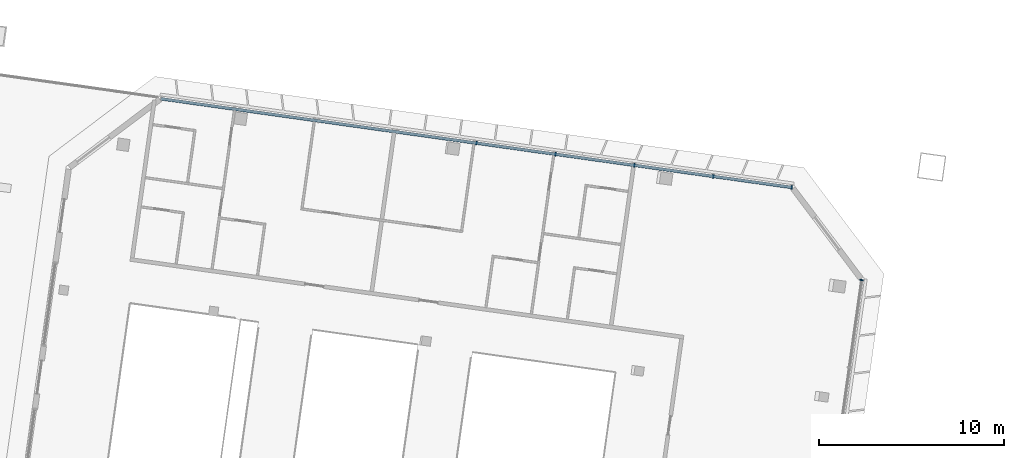
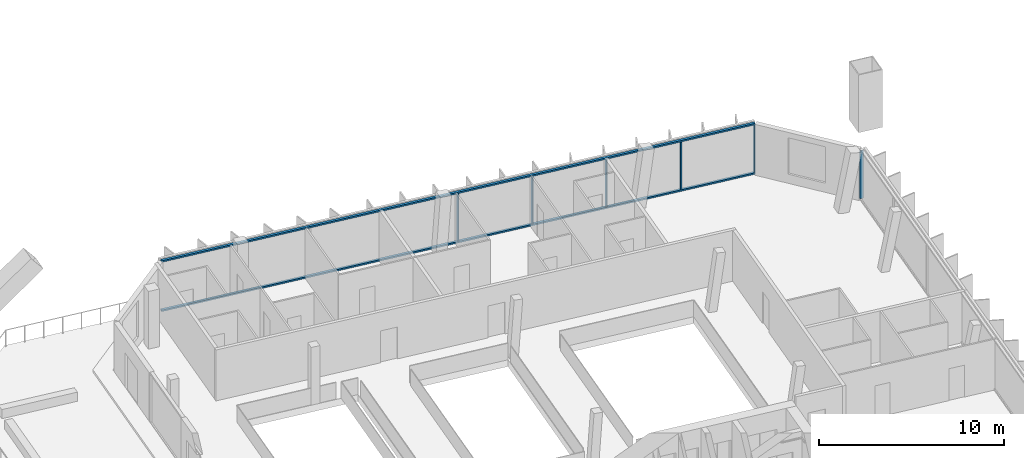
# One storey, part 5 of 19: 8 members, 2 elements without a shape of their own.
"""IFC4 building model written with IfcOpenShell, lengths in metres."""

from ifc_helpers import new_model, si_unit, direction, frame, origin, origin_2d, place, context, subcontext, project, spatial, rectangle, extrude, material, material_profile, profile_set, type_object, element, aggregate, save


model = new_model("IFC4")

# Units and contexts
model_context = context("Model", 3, precision=1e-05, world=origin(), true_north=direction((0.0, 1.0)))
body_context = subcontext(model_context, "Body", "Model", "MODEL_VIEW")
ifc_project = project(units=[si_unit("LENGTHUNIT", "METRE"), si_unit("AREAUNIT", "SQUARE_METRE"), si_unit("VOLUMEUNIT", "CUBIC_METRE"), si_unit("PLANEANGLEUNIT", "RADIAN"), si_unit("MASSUNIT", "GRAM", prefix="KILO")], contexts=[model_context])

# Site, building, storey
site_placement = place(None, origin())
site = spatial("IfcSite", under=ifc_project, at=site_placement, CompositionType="ELEMENT")
building_placement = place(site_placement, origin())
building = spatial("IfcBuilding", under=site, at=building_placement, Name="Mirante Cascada Hotel Towers", CompositionType="ELEMENT")
storey_placement = place(building_placement, frame((0.0, 0.0, 231.8)))
storey = spatial("IfcBuildingStorey", under=building, at=storey_placement, Name="L55", CompositionType="ELEMENT", Elevation=231.8)

# Curtain wall, members
ifc_material_1 = material(Name="Aluminium mullion and transom frame with clear laminated glass", Category="aluminium")
curtain_wall_type_1 = type_object("IfcCurtainWallType", Name="Ribbon curtain wall ECW1", PredefinedType="NOTDEFINED", material=ifc_material_1)
curtain_wall_1_placement = place(storey_placement, origin())
curtain_wall_1 = element("IfcCurtainWall", 1, at=curtain_wall_1_placement, inside=storey, type_object=curtain_wall_type_1, Name="Front ribbon wall T1 L55", PredefinedType="NOTDEFINED")
ifc_material_2 = material(Name="Anodised aluminium extrusion", Category="aluminium")
ifc_material_profile_1 = material_profile(ifc_material_2, rectangle(XDim=0.2, YDim=0.065, at=origin_2d()), Name="ECW1 MULLION 65x200")
ifc_profile_set_1 = profile_set([ifc_material_profile_1], Name="Anodised aluminium extrusion")
member_type_1 = type_object("IfcMemberType", Name="ECW1 mullion 65x200", PredefinedType="MULLION", material=ifc_profile_set_1)
member_1_placement = place(storey_placement, frame((-41.4088, 18.6387, 0.1), z_axis=(0.0, 0.0, 1.0), x_axis=(0.1391731, 0.9902681, 0.0)))
member_1 = element("IfcMember", 2, at=member_1_placement, type_object=member_type_1, Name="ECW1 mullion 5", PredefinedType="MULLION", context=body_context, shape_type="SweptSolid", body=[
    extrude(rectangle(XDim=0.2, YDim=0.065, at=origin_2d()), origin(), (0.0, 0.0, 1.0), 3.15),
])
member_2_placement = place(storey_placement, frame((-37.1339, 18.0379, 0.1), z_axis=(0.0, 0.0, 1.0), x_axis=(0.1391731, 0.9902681, 0.0)))
member_2 = element("IfcMember", 3, at=member_2_placement, type_object=member_type_1, Name="ECW1 mullion 6", PredefinedType="MULLION", context=body_context, shape_type="SweptSolid", body=[
    extrude(rectangle(XDim=0.2, YDim=0.065, at=origin_2d()), origin(), (0.0, 0.0, 1.0), 3.15),
])
member_3_placement = place(storey_placement, frame((-32.859, 17.4371, 0.1), z_axis=(0.0, 0.0, 1.0), x_axis=(0.1391731, 0.9902681, 0.0)))
member_3 = element("IfcMember", 4, at=member_3_placement, type_object=member_type_1, Name="ECW1 mullion 7", PredefinedType="MULLION", context=body_context, shape_type="SweptSolid", body=[
    extrude(rectangle(XDim=0.2, YDim=0.065, at=origin_2d()), origin(), (0.0, 0.0, 1.0), 3.15),
])
member_4_placement = place(storey_placement, frame((-28.5841, 16.8363, 0.1), z_axis=(0.0, 0.0, 1.0), x_axis=(0.1391731, 0.9902681, 0.0)))
member_4 = element("IfcMember", 5, at=member_4_placement, type_object=member_type_1, Name="ECW1 mullion 8", PredefinedType="MULLION", context=body_context, shape_type="SweptSolid", body=[
    extrude(rectangle(XDim=0.2, YDim=0.065, at=origin_2d()), origin(), (0.0, 0.0, 1.0), 3.15),
])
member_5_placement = place(storey_placement, frame((-24.3414, 16.24, 0.1), z_axis=(0.0, 0.0, 1.0), x_axis=(0.1391731, 0.9902681, 0.0)))
member_5 = element("IfcMember", 6, at=member_5_placement, type_object=member_type_1, Name="ECW1 mullion 9", PredefinedType="MULLION", context=body_context, shape_type="SweptSolid", body=[
    extrude(rectangle(XDim=0.2, YDim=0.065, at=origin_2d()), origin(), (0.0, 0.0, 1.0), 3.15),
])
ifc_material_3 = material(Name="Anodised aluminium extrusion", Category="aluminium")
ifc_material_profile_2 = material_profile(ifc_material_3, rectangle(XDim=0.16, YDim=0.1, at=origin_2d()), Name="ECW1 TRANSOM 100x160")
ifc_profile_set_2 = profile_set([ifc_material_profile_2], Name="Anodised aluminium extrusion")
member_type_2 = type_object("IfcMemberType", Name="ECW1 transom 100x160", PredefinedType="USERDEFINED", material=ifc_profile_set_2)
member_6_placement = place(storey_placement, frame((-58.5085, 21.0419, 0.05), z_axis=(0.9902681, -0.1391732, 0.0), x_axis=(0.1391732, 0.9902681, 0.0)))
member_6 = element("IfcMember", 7, at=member_6_placement, type_object=member_type_2, Name="ECW1 sill transom", ObjectType="TRANSOM", PredefinedType="USERDEFINED", context=body_context, shape_type="SweptSolid", body=[
    extrude(rectangle(XDim=0.16, YDim=0.1, at=origin_2d()), origin(), (0.0, 0.0, 1.0), 34.5354),
])
member_7_placement = place(storey_placement, frame((-58.5085, 21.0419, 3.3), z_axis=(0.9902681, -0.1391732, 0.0), x_axis=(0.1391732, 0.9902681, 0.0)))
member_7 = element("IfcMember", 8, at=member_7_placement, type_object=member_type_2, Name="ECW1 head transom", ObjectType="TRANSOM", PredefinedType="USERDEFINED", context=body_context, shape_type="SweptSolid", body=[
    extrude(rectangle(XDim=0.16, YDim=0.1, at=origin_2d()), origin(), (0.0, 0.0, 1.0), 34.5354),
])
aggregate(curtain_wall_1, [member_6, member_7, member_1, member_2, member_3, member_4, member_5])

# Curtain wall, member
ifc_material_4 = material(Name="Aluminium mullion and transom frame with clear laminated glass", Category="aluminium")
curtain_wall_type_2 = type_object("IfcCurtainWallType", Name="End ribbon curtain wall ECW2", PredefinedType="NOTDEFINED", material=ifc_material_4)
curtain_wall_2_placement = place(storey_placement, origin())
curtain_wall_2 = element("IfcCurtainWall", 9, at=curtain_wall_2_placement, inside=storey, type_object=curtain_wall_type_2, Name="Inner end wall T1 L55", PredefinedType="NOTDEFINED")
ifc_material_5 = material(Name="Anodised aluminium extrusion", Category="aluminium")
ifc_material_profile_3 = material_profile(ifc_material_5, rectangle(XDim=0.2, YDim=0.065, at=origin_2d()), Name="ECW2 MULLION 65x200")
ifc_profile_set_3 = profile_set([ifc_material_profile_3], Name="Anodised aluminium extrusion")
member_type_3 = type_object("IfcMemberType", Name="ECW2 mullion 65x200", PredefinedType="MULLION", material=ifc_profile_set_3)
member_8_placement = place(storey_placement, frame((-20.5586, 11.22, 0.1), z_axis=(0.0, 0.0, 1.0), x_axis=(0.9902681, -0.1391731, 0.0)))
member_8 = element("IfcMember", 10, at=member_8_placement, type_object=member_type_3, Name="ECW2 mullion 1", PredefinedType="MULLION", context=body_context, shape_type="SweptSolid", body=[
    extrude(rectangle(XDim=0.2, YDim=0.065, at=origin_2d()), origin(), (0.0, 0.0, 1.0), 3.15),
])
aggregate(curtain_wall_2, [member_8])

save(model, "model.ifc")
